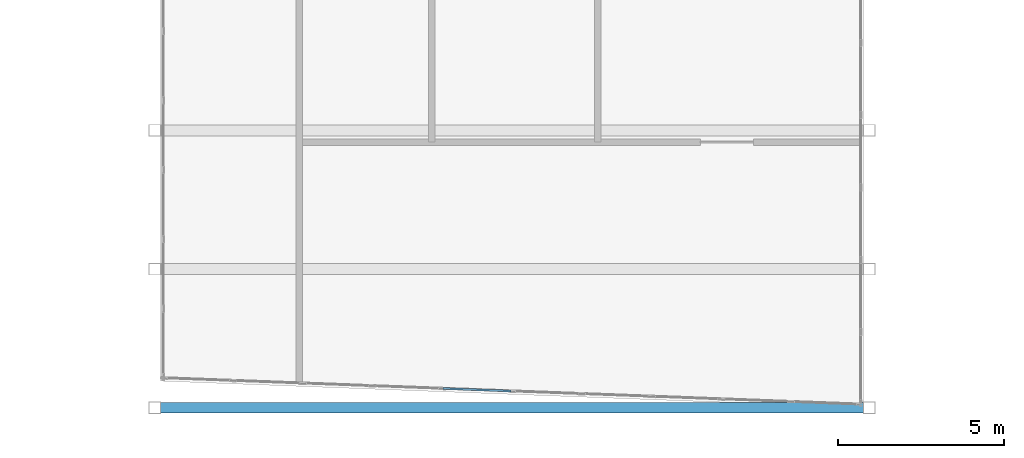
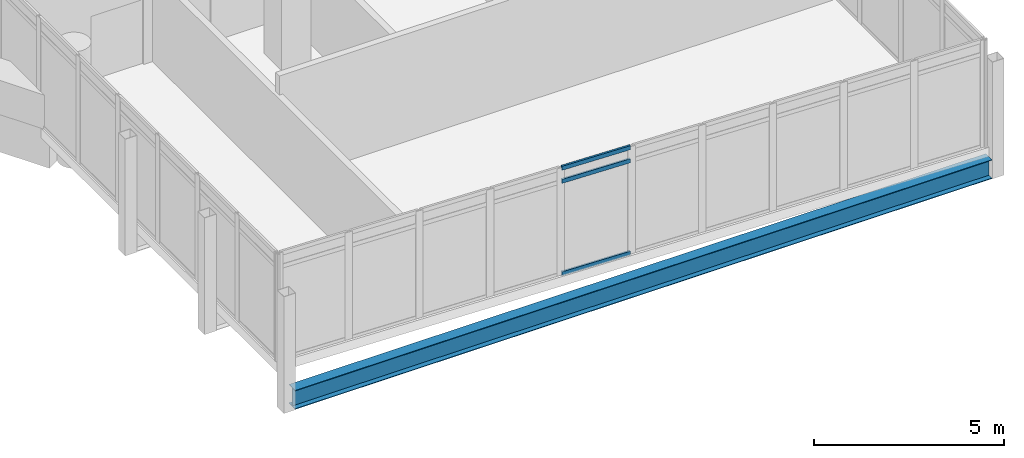
# One storey, part 3 of 37: 3 members, 1 beam, 1 element without a shape of its own.
"""IFC4 building model written with IfcOpenShell, lengths in metres."""

from ifc_helpers import new_model, si_unit, direction, frame, origin, origin_2d, place, context, subcontext, project, spatial, hollow_rectangle, i_section, extrude, material, material_profile, profile_set, type_object, element, aggregate, save


model = new_model("IFC4")

# Units and contexts
model_context = context("Model", 3, precision=1e-05, world=origin(), true_north=direction((0.0, 1.0)))
body_context = subcontext(model_context, "Body", "Model", "MODEL_VIEW")
ifc_project = project(units=[si_unit("LENGTHUNIT", "METRE"), si_unit("AREAUNIT", "SQUARE_METRE"), si_unit("VOLUMEUNIT", "CUBIC_METRE"), si_unit("PLANEANGLEUNIT", "RADIAN"), si_unit("MASSUNIT", "GRAM", prefix="KILO")], contexts=[model_context])

# Site, building, storey
site_placement = place(None, origin())
site = spatial("IfcSite", under=ifc_project, at=site_placement, CompositionType="ELEMENT")
building_placement = place(site_placement, origin())
building = spatial("IfcBuilding", under=site, at=building_placement, Name="Ostrander Bayou Hotel Tower", CompositionType="ELEMENT")
storey_placement = place(building_placement, frame((0.0, 0.0, 225.75)))
storey = spatial("IfcBuildingStorey", under=building, at=storey_placement, Name="L56", CompositionType="ELEMENT", Elevation=225.75)

# Curtain wall, members
ifc_material_1 = material(Name="Aluminium and clear glass", Category="aluminium")
curtain_wall_type = type_object("IfcCurtainWallType", Name="CW-BAR glazed wall", PredefinedType="NOTDEFINED", material=ifc_material_1)
curtain_wall_placement = place(storey_placement, origin())
curtain_wall = element("IfcCurtainWall", 1, at=curtain_wall_placement, inside=storey, type_object=curtain_wall_type, Name="CW-BAR L56:SB5S:T", PredefinedType="NOTDEFINED")
ifc_material_2 = material(Name="Aluminium", Category="aluminium")
ifc_material_profile_1 = material_profile(ifc_material_2, hollow_rectangle(XDim=0.06005859375, YDim=0.1298828125, WallThickness=0.00390625, at=origin_2d()))
ifc_profile_set_1 = profile_set([ifc_material_profile_1], Name="Aluminium")
member_type = type_object("IfcMemberType", Name="CW-BR transom 60 x 130 mm", PredefinedType="USERDEFINED", material=ifc_profile_set_1)
member_1_placement = place(storey_placement, frame((-2.072509765625, -28.921630859375, 0.030029296875), z_axis=(0.999287402917, -0.037745017849, 0.0), x_axis=(0.037745017849, 0.999287402917, 0.0)))
member_1 = element("IfcMember", 2, at=member_1_placement, type_object=member_type, Name="CW-BAR transom 5.1", ObjectType="TRANSOM", PredefinedType="USERDEFINED", context=body_context, shape_type="SweptSolid", body=[
    extrude(hollow_rectangle(XDim=0.06005859375, YDim=0.1298828125, WallThickness=0.00390625, at=origin_2d()), origin(), (0.0, 0.0, 1.0), 2.0439453125),
])
member_2_placement = place(storey_placement, frame((-2.072509765625, -28.921630859375, 3.0), z_axis=(0.999287402917, -0.037745017849, 0.0), x_axis=(0.037745017849, 0.999287402917, 0.0)))
member_2 = element("IfcMember", 3, at=member_2_placement, type_object=member_type, Name="CW-BAR transom 5.2", ObjectType="TRANSOM", PredefinedType="USERDEFINED", context=body_context, shape_type="SweptSolid", body=[
    extrude(hollow_rectangle(XDim=0.06005859375, YDim=0.1298828125, WallThickness=0.00390625, at=origin_2d()), origin(), (0.0, 0.0, 1.0), 2.0439453125),
])
member_3_placement = place(storey_placement, frame((-2.072509765625, -28.921630859375, 3.419921875), z_axis=(0.999287402917, -0.037745017849, 0.0), x_axis=(0.037745017849, 0.999287402917, 0.0)))
member_3 = element("IfcMember", 4, at=member_3_placement, type_object=member_type, Name="CW-BAR transom 5.3", ObjectType="TRANSOM", PredefinedType="USERDEFINED", context=body_context, shape_type="SweptSolid", body=[
    extrude(hollow_rectangle(XDim=0.06005859375, YDim=0.1298828125, WallThickness=0.00390625, at=origin_2d()), origin(), (0.0, 0.0, 1.0), 2.0439453125),
])
aggregate(curtain_wall, [member_1, member_2, member_3])

# Beam
ifc_material_3 = material(Name="Steel ASTM A992", Category="steel")
ifc_material_profile_2 = material_profile(ifc_material_3, i_section(OverallWidth=0.32373046875, OverallDepth=0.611083984375, WebThickness=0.0126953125, FlangeThickness=0.01904296875, at=origin_2d()))
ifc_profile_set_2 = profile_set([ifc_material_profile_2], Name="Steel ASTM A992")
beam_type = type_object("IfcBeamType", Name="TF2 bar floor beam W24x104", PredefinedType="BEAM", material=ifc_profile_set_2)
beam_placement = place(storey_placement, frame((-10.587158203125, -29.5, -0.605712890625), z_axis=(1.0, 0.0, 0.0), x_axis=(0.0, 1.0, 0.0)))
element("IfcBeam", 5, at=beam_placement, inside=storey, type_object=beam_type, Name="TF2 SB5S L2-3", PredefinedType="BEAM", context=body_context, shape_type="SweptSolid", body=[
    extrude(i_section(OverallWidth=0.32373046875, OverallDepth=0.611083984375, WebThickness=0.0126953125, FlangeThickness=0.01904296875, at=origin_2d()), origin(), (0.0, 0.0, 1.0), 21.17431640625),
])

save(model, "model.ifc")
